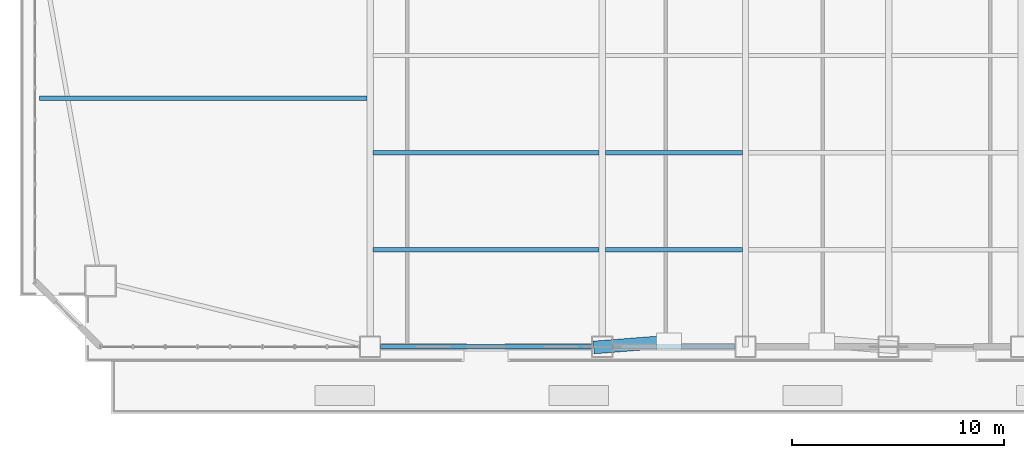
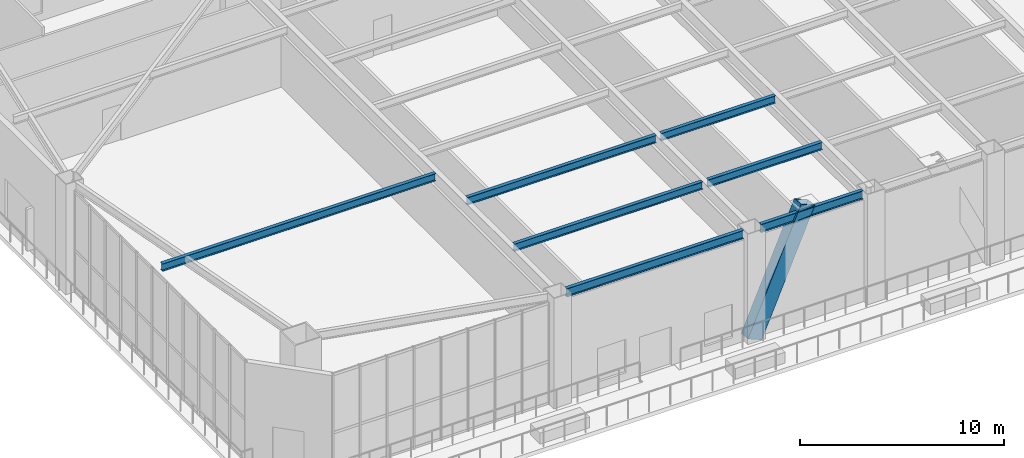
# One storey, part 4 of 22: 7 beams, 1 member.
"""IFC4 building model written with IfcOpenShell, lengths in metres."""

import ifcopenshell
import ifcopenshell.guid

model = None  # the IFC model being written
_history = None  # IfcOwnerHistory: only IFC2X3 demands one
_inside = {}  # id of a spatial element -> (the spatial element, [elements in it])
_under = {}  # id of a project, library or spatial element -> (it, [spatial elements below it])
_declared = {}  # id of a project -> (the project, [libraries it declares])
_typed = {}  # id of a type object -> (the type object, [elements of that type])
_made_of = {}  # id of a material, layer set ... -> (it, [elements and type objects made of it])


def new_model(schema):
    """Start an empty IFC model of exactly this schema.

    Asked for "IFC4X3", IfcOpenShell would pick the latest addendum, in which some entities
    have other attributes; the version numbers below select the first issue.
    IFC2X3 requires an IfcOwnerHistory on every rooted entity: one is made here for all.
    """
    global model, _history
    if schema == "IFC4X3":
        model = ifcopenshell.file(schema_version=(4, 3, 0, 0))
    else:
        model = ifcopenshell.file(schema=schema)
    _inside.clear()
    _under.clear()
    _declared.clear()
    _typed.clear()
    _made_of.clear()
    _history = None
    if model.schema == "IFC2X3":
        org = make("IfcOrganization", Name="unknown")
        user = make(
            "IfcPersonAndOrganization",
            ThePerson=make("IfcPerson", FamilyName="unknown"),
            TheOrganization=org,
        )
        app = make(
            "IfcApplication",
            ApplicationDeveloper=org,
            Version="unknown",
            ApplicationFullName="unknown",
            ApplicationIdentifier="unknown",
        )
        _history = make(
            "IfcOwnerHistory",
            OwningUser=user,
            OwningApplication=app,
            ChangeAction="ADDED",
            CreationDate=0,
        )
    return model


def make(cls, **values):
    """One entity of the class cls with the attributes given. An attribute that is None is left unset."""
    return model.create_entity(
        cls, **{name: value for name, value in values.items() if value is not None}
    )


def rooted(cls, **values):
    """An entity with a GlobalId (a new one), such as an element, a storey or a relation."""
    return make(cls, GlobalId=ifcopenshell.guid.new(), OwnerHistory=_history, **values)


def si_unit(unit_type, name, prefix=None):
    """IfcSIUnit, for example si_unit("LENGTHUNIT", "METRE", prefix="MILLI")."""
    return make("IfcSIUnit", UnitType=unit_type, Prefix=prefix, Name=name)


def assignment(units):
    """IfcUnitAssignment: the units of a project."""
    return None if units is None else make("IfcUnitAssignment", Units=units)


def point(xyz):
    """IfcCartesianPoint."""
    return None if xyz is None else make("IfcCartesianPoint", Coordinates=xyz)


def direction(xyz):
    """IfcDirection."""
    return None if xyz is None else make("IfcDirection", DirectionRatios=xyz)


def frame(location, z_axis=None, x_axis=None):
    """IfcAxis2Placement3D, a coordinate frame: its origin and axes. An axis left out is left unset."""
    return make(
        "IfcAxis2Placement3D",
        Location=point(location),
        Axis=direction(z_axis),
        RefDirection=direction(x_axis),
    )


def frame_2d(location, x_axis=None):
    """IfcAxis2Placement2D, a coordinate frame in the plane: its origin and x axis."""
    return make(
        "IfcAxis2Placement2D", Location=point(location), RefDirection=direction(x_axis)
    )


def origin():
    """The frame at (0, 0, 0) with its axes left unset."""
    return frame((0.0, 0.0, 0.0))


def origin_2d():
    """The frame at (0, 0) in the plane with its x axis left unset."""
    return frame_2d((0.0, 0.0))


def place(relative_to, where):
    """IfcLocalPlacement: puts the frame where relative to a parent placement (None: the world)."""
    return make(
        "IfcLocalPlacement", PlacementRelTo=relative_to, RelativePlacement=where
    )


def context(
    kind, dimensions, precision=None, world=None, true_north=None, identifier=None
):
    """IfcGeometricRepresentationContext, for example the 3D "Model" context."""
    return make(
        "IfcGeometricRepresentationContext",
        ContextIdentifier=identifier,
        ContextType=kind,
        CoordinateSpaceDimension=dimensions,
        Precision=precision,
        WorldCoordinateSystem=world,
        TrueNorth=true_north,
    )


def subcontext(parent, identifier, kind, view, scale=None):
    """IfcGeometricRepresentationSubContext, for example "Body" below "Model"."""
    return make(
        "IfcGeometricRepresentationSubContext",
        ContextIdentifier=identifier,
        ContextType=kind,
        ParentContext=parent,
        TargetScale=scale,
        TargetView=view,
    )


def project(units=None, contexts=None):
    """IfcProject with its units and contexts."""
    return rooted(
        "IfcProject",
        Name="project",
        RepresentationContexts=contexts,
        UnitsInContext=assignment(units),
    )


def spatial(cls, under=None, at=None, **own):
    """A site, building, storey or space (cls), placed at a placement, below another one or the project."""
    s = rooted(cls, ObjectPlacement=at, **own)
    if under is not None:
        _under.setdefault(under.id(), (under, []))[1].append(s)
    return s


def profile(cls, at=None, kind="AREA", **sizes):
    """A parametric profile (cls). Its sizes go by their IFC names, for example OverallWidth=200.0."""
    return make(cls, ProfileType=kind, Position=at, **sizes)


def hollow_rectangle(**sizes):
    """IfcRectangleHollowProfileDef."""
    return profile("IfcRectangleHollowProfileDef", **sizes)


def i_section(**sizes):
    """IfcIShapeProfileDef."""
    return profile("IfcIShapeProfileDef", **sizes)


def extrude(swept, where, along, depth):
    """IfcExtrudedAreaSolid: the profile swept, set in the frame where, extruded along a direction by depth."""
    return make(
        "IfcExtrudedAreaSolid",
        SweptArea=swept,
        Position=where,
        ExtrudedDirection=direction(along),
        Depth=depth,
    )


def shape(context_of_items, identifier, shape_type, items):
    """IfcShapeRepresentation: the items that make up one representation, for example the "Body"."""
    return make(
        "IfcShapeRepresentation",
        ContextOfItems=context_of_items,
        RepresentationIdentifier=identifier,
        RepresentationType=shape_type,
        Items=items,
    )


def source(mapping_origin, context_of_items, identifier, shape_type, items):
    """IfcRepresentationMap: a shape defined once, which mapped items show again and again."""
    return make(
        "IfcRepresentationMap",
        MappingOrigin=mapping_origin,
        MappedRepresentation=shape(context_of_items, identifier, shape_type, items),
    )


def transform(
    local_origin,
    x_axis=None,
    y_axis=None,
    z_axis=None,
    scale=None,
    scale2=None,
    scale3=None,
    uniform=True,
):
    """IfcCartesianTransformationOperator3D, or its non-uniform kind. x_axis, y_axis, z_axis: its Axis1, 2, 3."""
    if uniform:
        return make(
            "IfcCartesianTransformationOperator3D",
            Axis1=direction(x_axis),
            Axis2=direction(y_axis),
            LocalOrigin=point(local_origin),
            Scale=scale,
            Axis3=direction(z_axis),
        )
    return make(
        "IfcCartesianTransformationOperator3DnonUniform",
        Axis1=direction(x_axis),
        Axis2=direction(y_axis),
        LocalOrigin=point(local_origin),
        Scale=scale,
        Axis3=direction(z_axis),
        Scale2=scale2,
        Scale3=scale3,
    )


def mapped(mapping_source, mapping_target):
    """IfcMappedItem: shows the shape of a source again, moved by a transform."""
    return make(
        "IfcMappedItem", MappingSource=mapping_source, MappingTarget=mapping_target
    )


def material(Name=None, Category=None):
    """IfcMaterial."""
    return make("IfcMaterial", Name=Name, Category=Category)


def material_profile(
    of_material, cross_section, Name=None, Category=None, Priority=None
):
    """IfcMaterialProfile: a cross section and its material."""
    return make(
        "IfcMaterialProfile",
        Name=Name,
        Material=of_material,
        Profile=cross_section,
        Priority=Priority,
        Category=Category,
    )


def profile_set(profiles, Name=None, composite=None):
    """IfcMaterialProfileSet."""
    return make(
        "IfcMaterialProfileSet",
        Name=Name,
        MaterialProfiles=profiles,
        CompositeProfile=composite,
    )


def made_of(thing, what):
    """Note that an element or type object is made of a material, layer set ...; save() writes the relation."""
    if what is not None:
        _made_of.setdefault(what.id(), (what, []))[1].append(thing)
    return thing


def type_object(cls, material=None, **own):
    """A type object (cls), such as IfcWallType, which elements share."""
    return made_of(rooted(cls, **own), material)


def element(
    cls,
    number,
    at=None,
    inside=None,
    cuts=None,
    type_object=None,
    material=None,
    context=None,
    identifier="Body",
    shape_type=None,
    held_by="IfcProductDefinitionShape",
    body=None,
    shapes=None,
    **own,
):
    """One element of the class cls, such as IfcWall. Its Tag is "e" and its number.

    at: its placement. inside: the storey or other place that contains it. cuts: it is an
    opening in that element (IfcRelVoidsElement). A single representation is given by context,
    identifier, shape_type and body (its items); several are given by shapes. held_by: the class
    of the entity that holds the representations. save() writes the other relations.
    """
    e = rooted(cls, Tag="e%d" % number, ObjectPlacement=at, **own)
    if body is not None:
        shapes = [shape(context, identifier, shape_type, body)]
    if shapes is not None:
        e.Representation = make(held_by, Representations=shapes)
    if inside is not None:
        _inside.setdefault(inside.id(), (inside, []))[1].append(e)
    if cuts is not None:
        rooted(
            "IfcRelVoidsElement", RelatingBuildingElement=cuts, RelatedOpeningElement=e
        )
    if type_object is not None:
        _typed.setdefault(type_object.id(), (type_object, []))[1].append(e)
    return made_of(e, material)


def aggregate(whole, parts):
    """IfcRelAggregates: a whole, such as a stair, and the parts it consists of."""
    return rooted("IfcRelAggregates", RelatingObject=whole, RelatedObjects=parts)


def save(model, path):
    """Write the relations noted so far, then the file.

    IfcRelAggregates (storeys below a building ...), IfcRelContainedInSpatialStructure (elements
    in a storey), IfcRelDefinesByType, IfcRelAssociatesMaterial and IfcRelDeclares: one each for
    every whole, place, type object, material and project.
    """
    for whole, parts in _under.values():
        aggregate(whole, parts)
    for where, things in _inside.values():
        rooted(
            "IfcRelContainedInSpatialStructure",
            RelatedElements=things,
            RelatingStructure=where,
        )
    for kind, things in _typed.values():
        rooted("IfcRelDefinesByType", RelatedObjects=things, RelatingType=kind)
    for what, things in _made_of.values():
        rooted("IfcRelAssociatesMaterial", RelatedObjects=things, RelatingMaterial=what)
    for by, libraries in _declared.values():
        rooted("IfcRelDeclares", RelatingContext=by, RelatedDefinitions=libraries)
    model.write(path)


model = new_model("IFC4")

# Units and contexts
model_context = context("Model", 3, precision=1e-05, world=origin(), true_north=direction((0.0, 1.0)))
body_context = subcontext(model_context, "Body", "Model", "MODEL_VIEW")
ifc_project = project(units=[si_unit("LENGTHUNIT", "METRE"), si_unit("AREAUNIT", "SQUARE_METRE"), si_unit("VOLUMEUNIT", "CUBIC_METRE"), si_unit("PLANEANGLEUNIT", "RADIAN"), si_unit("MASSUNIT", "GRAM", prefix="KILO")], contexts=[model_context])

# Site, building, storey
site_placement = place(None, origin())
site = spatial("IfcSite", under=ifc_project, at=site_placement, CompositionType="ELEMENT")
building_placement = place(site_placement, origin())
building = spatial("IfcBuilding", under=site, at=building_placement, Name="Giltprow Tower", CompositionType="ELEMENT")
storey_placement = place(building_placement, frame((0.0, 0.0, 72.800048828125)))
storey = spatial("IfcBuildingStorey", under=building, at=storey_placement, Name="L18", CompositionType="ELEMENT", Elevation=72.800048828125)

# Beams
ifc_material_1 = material(Name="Structural steel Q355B", Category="steel")
ifc_material_profile_1 = material_profile(ifc_material_1, i_section(OverallWidth=0.199951171875, OverallDepth=0.449951171875, WebThickness=0.009033203125, FlangeThickness=0.013916015625, at=origin_2d()), Name="HN 450x200x9x14")
ifc_profile_set_1 = profile_set([ifc_material_profile_1], Name="Structural steel Q355B")
beam_type_1 = type_object("IfcBeamType", Name="BM-JOIST-HN450", PredefinedType="JOIST", material=ifc_profile_set_1)
shared_shape_1 = source(origin(), body_context, "Body", "SweptSolid", [
    extrude(i_section(OverallWidth=0.199951171875, OverallDepth=0.449951171875, WebThickness=0.009033203125, FlangeThickness=0.013916015625, at=origin_2d()), origin(), (0.0, 0.0, 1.0), 10.659912109375),
])
for number, where, z_axis, x_axis, name in (
    (1, (19.9951171875, 9.986083984375, 6.35498046875), (1.0, 0.0, 0.0), (0.0, 1.0, 0.0), "L18 Composite Floor Joist 1-1"),
    (2, (19.9951171875, 14.56396484375, 6.35498046875), (1.0, 0.0, 0.0), (0.0, 1.0, 0.0), "L18 Composite Floor Joist 2-1"),
):
    element("IfcBeam", number, at=place(storey_placement, frame(where, z_axis=z_axis, x_axis=x_axis)), inside=storey, type_object=beam_type_1, Name=name, PredefinedType="JOIST", context=body_context, shape_type="MappedRepresentation", body=[
        mapped(shared_shape_1, transform((0.0, 0.0, 0.0), x_axis=(1.0, 0.0, 0.0), y_axis=(0.0, 1.0, 0.0), z_axis=(0.0, 0.0, 1.0), scale=1.0)),
    ])
shared_shape_2 = source(origin(), body_context, "Body", "SweptSolid", [
    extrude(i_section(OverallWidth=0.199951171875, OverallDepth=0.449951171875, WebThickness=0.009033203125, FlangeThickness=0.013916015625, at=origin_2d()), origin(), (0.0, 0.0, 1.0), 6.4599609375),
])
for number, where, z_axis, x_axis, name in (
    (3, (30.945068359375, 9.986083984375, 6.35498046875), (1.0, 0.0, 0.0), (0.0, 1.0, 0.0), "L18 Composite Floor Joist 1-2"),
    (4, (30.945068359375, 14.56396484375, 6.35498046875), (1.0, 0.0, 0.0), (0.0, 1.0, 0.0), "L18 Composite Floor Joist 2-2"),
):
    element("IfcBeam", number, at=place(storey_placement, frame(where, z_axis=z_axis, x_axis=x_axis)), inside=storey, type_object=beam_type_1, Name=name, PredefinedType="JOIST", context=body_context, shape_type="MappedRepresentation", body=[
        mapped(shared_shape_2, transform((0.0, 0.0, 0.0), x_axis=(1.0, 0.0, 0.0), y_axis=(0.0, 1.0, 0.0), z_axis=(0.0, 0.0, 1.0), scale=1.0)),
    ])
ifc_material_profile_2 = material_profile(ifc_material_1, i_section(OverallWidth=0.199951171875, OverallDepth=0.5, WebThickness=0.010009765625, FlangeThickness=0.01611328125, at=origin_2d()), Name="HN 500x200x10x16")
ifc_profile_set_2 = profile_set([ifc_material_profile_2], Name="Structural steel Q355B")
beam_type_2 = type_object("IfcBeamType", Name="BM-SPAN-HN500", PredefinedType="SPANDREL", material=ifc_profile_set_2)
shared_shape_3 = source(origin(), body_context, "Body", "SweptSolid", [
    extrude(i_section(OverallWidth=0.199951171875, OverallDepth=0.5, WebThickness=0.010009765625, FlangeThickness=0.01611328125, at=origin_2d()), origin(), (0.0, 0.0, 1.0), 9.97998046875),
])
beam_1_placement = place(storey_placement, frame((20.3349609375, 5.408935546875, 6.329833984375), z_axis=(1.0, 0.0, 0.0), x_axis=(0.0, 1.0, 0.0)))
element("IfcBeam", 5, at=beam_1_placement, inside=storey, type_object=beam_type_2, Name="L18 Perimeter Spandrel Beam S1-S2", PredefinedType="SPANDREL", context=body_context, shape_type="MappedRepresentation", body=[
    mapped(shared_shape_3, transform((0.0, 0.0, 0.0), x_axis=(1.0, 0.0, 0.0), y_axis=(0.0, 1.0, 0.0), z_axis=(0.0, 0.0, 1.0), scale=1.0)),
])
shared_shape_4 = source(origin(), body_context, "Body", "SweptSolid", [
    extrude(i_section(OverallWidth=0.199951171875, OverallDepth=0.5, WebThickness=0.010009765625, FlangeThickness=0.01611328125, at=origin_2d()), origin(), (0.0, 0.0, 1.0), 5.780029296875),
])
beam_2_placement = place(storey_placement, frame((31.284912109375, 5.408935546875, 6.329833984375), z_axis=(1.0, 0.0, 0.0), x_axis=(0.0, 1.0, 0.0)))
element("IfcBeam", 6, at=beam_2_placement, inside=storey, type_object=beam_type_2, Name="L18 Perimeter Spandrel Beam S2-S_MID", PredefinedType="SPANDREL", context=body_context, shape_type="MappedRepresentation", body=[
    mapped(shared_shape_4, transform((0.0, 0.0, 0.0), x_axis=(1.0, 0.0, 0.0), y_axis=(0.0, 1.0, 0.0), z_axis=(0.0, 0.0, 1.0), scale=1.0)),
])
shared_shape_5 = source(origin(), body_context, "Body", "SweptSolid", [
    extrude(i_section(OverallWidth=0.199951171875, OverallDepth=0.449951171875, WebThickness=0.009033203125, FlangeThickness=0.013916015625, at=origin_2d()), origin(), (0.0, 0.0, 1.0), 15.445068359375),
])
beam_3_placement = place(storey_placement, frame((4.260009765625, 17.1298828125, 6.35498046875), z_axis=(1.0, 0.0, 0.0), x_axis=(0.0, 1.0, 0.0)))
element("IfcBeam", 7, at=beam_3_placement, inside=storey, type_object=beam_type_1, Name="L18 West Wing Floor Joist 1", PredefinedType="JOIST", context=body_context, shape_type="MappedRepresentation", body=[
    mapped(shared_shape_5, transform((0.0, 0.0, 0.0), x_axis=(1.0, 0.0, 0.0), y_axis=(0.0, 1.0, 0.0), z_axis=(0.0, 0.0, 1.0), scale=1.0)),
])

# Member
ifc_material_2 = material(Name="Structural steel Q420GJC", Category="steel")
ifc_material_profile_3 = material_profile(ifc_material_2, hollow_rectangle(XDim=0.60009765625, YDim=0.89990234375, WallThickness=0.0400390625, at=origin_2d()), Name="RHS 900x600x40")
ifc_profile_set_3 = profile_set([ifc_material_profile_3], Name="Structural steel Q420GJC")
member_type = type_object("IfcMemberType", Name="MBR-MEGA-RHS900", PredefinedType="BRACE", material=ifc_profile_set_3)
shared_shape_6 = source(origin(), body_context, "Body", "SweptSolid", [
    extrude(hollow_rectangle(XDim=0.60009765625, YDim=0.89990234375, WallThickness=0.0400390625, at=origin_2d()), origin(), (0.0, 0.0, 1.0), 7.49560546875),
])
member_placement = place(storey_placement, frame((30.800048828125, 5.408935546875, 0.0), z_axis=(0.419445337469, 0.032700972109, 0.907191410508), x_axis=(-0.077726557989, 0.996974714917, 0.0)))
element("IfcMember", 8, at=member_placement, inside=storey, type_object=member_type, Name="L18 Chevron Mega-Brace S-L", PredefinedType="BRACE", context=body_context, shape_type="MappedRepresentation", body=[
    mapped(shared_shape_6, transform((0.0, 0.0, 0.0), x_axis=(1.0, 0.0, 0.0), y_axis=(0.0, 1.0, 0.0), z_axis=(0.0, 0.0, 1.0), scale=1.0)),
])

save(model, "model.ifc")
